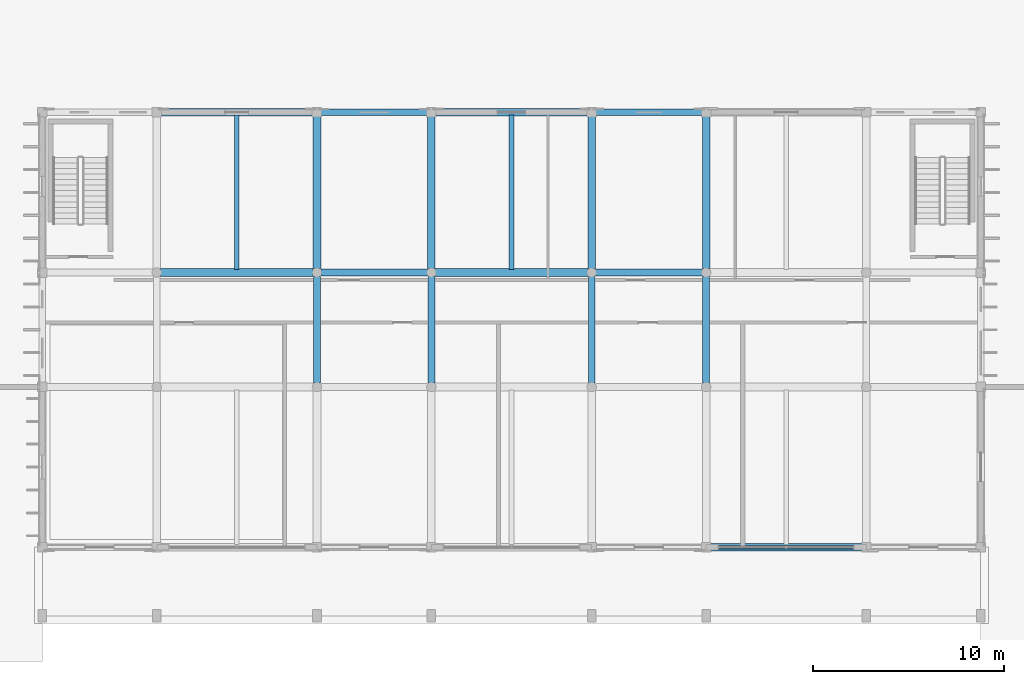
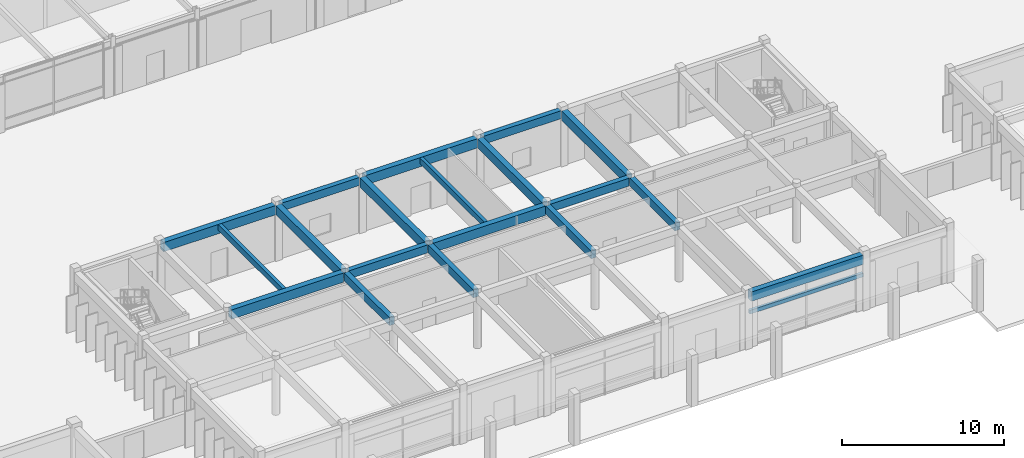
# One storey, part 14 of 67: 20 beams.
"""IFC4 building model written with IfcOpenShell, lengths in metres."""

from ifc_helpers import new_model, si_unit, direction, frame, origin, origin_2d, place, context, subcontext, project, spatial, rectangle, extrude, material, material_profile, profile_set, type_object, element, save


model = new_model("IFC4")

# Units and contexts
model_context = context("Model", 3, precision=1e-05, world=origin(), true_north=direction((0.0, 1.0)))
body_context = subcontext(model_context, "Body", "Model", "MODEL_VIEW")
ifc_project = project(units=[si_unit("LENGTHUNIT", "METRE"), si_unit("AREAUNIT", "SQUARE_METRE"), si_unit("VOLUMEUNIT", "CUBIC_METRE"), si_unit("PLANEANGLEUNIT", "RADIAN"), si_unit("MASSUNIT", "GRAM", prefix="KILO"), si_unit("THERMODYNAMICTEMPERATUREUNIT", "KELVIN")], contexts=[model_context])

# Site, building, storey
site_placement = place(None, origin())
site = spatial("IfcSite", under=ifc_project, at=site_placement, CompositionType="ELEMENT")
building_placement = place(site_placement, origin())
building = spatial("IfcBuilding", under=site, at=building_placement, Name="Thalorik Housing Commons", CompositionType="ELEMENT")
storey_placement = place(building_placement, origin())
storey = spatial("IfcBuildingStorey", under=building, at=storey_placement, Name="L00", CompositionType="ELEMENT", Elevation=0.0)

# Beams
ifc_material = material(Name="Precast concrete C40/50", Category="concrete")
ifc_material_profile_1 = material_profile(ifc_material, rectangle(XDim=0.35009765625, YDim=0.60009765625, at=origin_2d()), Name="PC 350x600", Category="concrete")
ifc_profile_set_1 = profile_set([ifc_material_profile_1], Name="Precast concrete C40/50")
beam_type_1 = type_object("IfcBeamType", Name="STR-BM-PC350x600", PredefinedType="BEAM", material=ifc_profile_set_1)
beam_1_placement = place(storey_placement, frame((80.60009765625, 28.800048828125, 3.89990234375), z_axis=(1.0, 0.0, 0.0), x_axis=(0.0, 1.0, 0.0)))
element("IfcBeam", 1, at=beam_1_placement, inside=storey, type_object=beam_type_1, Name="L00 Beam B-600", PredefinedType="BEAM", context=body_context, shape_type="SweptSolid", body=[
    extrude(rectangle(XDim=0.35009765625, YDim=0.60009765625, at=origin_2d()), origin(), (0.0, 0.0, 1.0), 5.599853515625),
])
beam_2_placement = place(storey_placement, frame((95.0, 28.800048828125, 3.89990234375), z_axis=(1.0, 0.0, 0.0), x_axis=(0.0, 1.0, 0.0)))
element("IfcBeam", 2, at=beam_2_placement, inside=storey, type_object=beam_type_1, Name="L00 Beam B-600", PredefinedType="BEAM", context=body_context, shape_type="SweptSolid", body=[
    extrude(rectangle(XDim=0.35009765625, YDim=0.60009765625, at=origin_2d()), origin(), (0.0, 0.0, 1.0), 5.60009765625),
])
beam_3_placement = place(storey_placement, frame((80.60009765625, 37.199951171875, 3.89990234375), z_axis=(1.0, 0.0, 0.0), x_axis=(0.0, 1.0, 0.0)))
element("IfcBeam", 3, at=beam_3_placement, inside=storey, type_object=beam_type_1, Name="L00 Beam B-600", PredefinedType="BEAM", context=body_context, shape_type="SweptSolid", body=[
    extrude(rectangle(XDim=0.35009765625, YDim=0.60009765625, at=origin_2d()), origin(), (0.0, 0.0, 1.0), 5.599853515625),
])
for number, where, z_axis, x_axis, name in (
    (4, (95.0, 37.199951171875, 3.89990234375), (1.0, 0.0, 0.0), (0.0, 1.0, 0.0), "L00 Beam B-600"),
    (5, (80.39990234375, 23.0, 3.89990234375), (0.0, 1.0, 0.0), (-1.0, 0.0, 0.0), "L00 Beam B-600"),
    (6, (86.39990234375, 23.0, 3.89990234375), (0.0, 1.0, 0.0), (-1.0, 0.0, 0.0), "L00 Beam B-600"),
    (7, (94.800048828125, 23.0, 3.89990234375), (0.0, 1.0, 0.0), (-1.0, 0.0, 0.0), "L00 Beam B-600"),
    (8, (100.800048828125, 23.0, 3.89990234375), (0.0, 1.0, 0.0), (-1.0, 0.0, 0.0), "L00 Beam B-600"),
):
    element("IfcBeam", number, at=place(storey_placement, frame(where, z_axis=z_axis, x_axis=x_axis)), inside=storey, type_object=beam_type_1, Name=name, PredefinedType="BEAM", context=body_context, shape_type="SweptSolid", body=[
        extrude(rectangle(XDim=0.35009765625, YDim=0.60009765625, at=origin_2d()), origin(), (0.0, 0.0, 1.0), 5.60009765625),
    ])
ifc_material_profile_2 = material_profile(ifc_material, rectangle(XDim=0.39990234375, YDim=0.699951171875, at=origin_2d()), Name="PC 400x700", Category="concrete")
ifc_profile_set_2 = profile_set([ifc_material_profile_2], Name="Precast concrete C40/50")
beam_type_2 = type_object("IfcBeamType", Name="STR-BM-PC400x700", PredefinedType="BEAM", material=ifc_profile_set_2)
for number, where, z_axis, x_axis, name in (
    (9, (101.0, 14.39990234375, 3.85009765625), (1.0, 0.0, 0.0), (0.0, 1.0, 0.0), "L00 Beam B-700"),
    (10, (72.199951171875, 28.800048828125, 3.85009765625), (1.0, 0.0, 0.0), (0.0, 1.0, 0.0), "L00 Beam B-700"),
    (11, (86.60009765625, 28.800048828125, 3.85009765625), (1.0, 0.0, 0.0), (0.0, 1.0, 0.0), "L00 Beam B-700"),
    (12, (72.199951171875, 37.199951171875, 3.85009765625), (1.0, 0.0, 0.0), (0.0, 1.0, 0.0), "L00 Beam B-700"),
    (13, (86.60009765625, 37.199951171875, 3.85009765625), (1.0, 0.0, 0.0), (0.0, 1.0, 0.0), "L00 Beam B-700"),
    (14, (80.39990234375, 29.0, 3.85009765625), (0.0, 1.0, 0.0), (-1.0, 0.0, 0.0), "L00 Beam B-700"),
    (15, (86.39990234375, 29.0, 3.85009765625), (0.0, 1.0, 0.0), (-1.0, 0.0, 0.0), "L00 Beam B-700"),
    (16, (94.800048828125, 29.0, 3.85009765625), (0.0, 1.0, 0.0), (-1.0, 0.0, 0.0), "L00 Beam B-700"),
    (17, (100.800048828125, 29.0, 3.85009765625), (0.0, 1.0, 0.0), (-1.0, 0.0, 0.0), "L00 Beam B-700"),
):
    element("IfcBeam", number, at=place(storey_placement, frame(where, z_axis=z_axis, x_axis=x_axis)), inside=storey, type_object=beam_type_2, Name=name, PredefinedType="BEAM", context=body_context, shape_type="SweptSolid", body=[
        extrude(rectangle(XDim=0.39990234375, YDim=0.699951171875, at=origin_2d()), origin(), (0.0, 0.0, 1.0), 8.0),
    ])
ifc_material_profile_3 = material_profile(ifc_material, rectangle(XDim=0.239990234375, YDim=0.43994140625, at=origin_2d()), Name="PC JST 240x440", Category="concrete")
ifc_profile_set_3 = profile_set([ifc_material_profile_3], Name="Precast concrete C40/50")
beam_type_3 = type_object("IfcBeamType", Name="STR-JST-PC240x440", PredefinedType="JOIST", material=ifc_profile_set_3)
for number, where, z_axis, x_axis, name in (
    (18, (76.199951171875, 28.949951171875, 3.97998046875), (0.0, 1.0, 0.0), (-1.0, 0.0, 0.0), "L00 Beam J-440"),
    (19, (90.60009765625, 28.949951171875, 3.97998046875), (0.0, 1.0, 0.0), (-1.0, 0.0, 0.0), "L00 Beam J-440"),
):
    element("IfcBeam", number, at=place(storey_placement, frame(where, z_axis=z_axis, x_axis=x_axis)), inside=storey, type_object=beam_type_3, Name=name, PredefinedType="JOIST", context=body_context, shape_type="SweptSolid", body=[
        extrude(rectangle(XDim=0.239990234375, YDim=0.43994140625, at=origin_2d()), origin(), (0.0, 0.0, 1.0), 8.10009765625),
    ])
ifc_material_profile_4 = material_profile(ifc_material, rectangle(XDim=0.199951171875, YDim=0.280029296875, at=origin_2d()), Name="PC LIN 200x280", Category="concrete")
ifc_profile_set_4 = profile_set([ifc_material_profile_4], Name="Precast concrete C40/50")
beam_type_4 = type_object("IfcBeamType", Name="STR-LIN-PC200x280", PredefinedType="LINTEL", material=ifc_profile_set_4)
beam_4_placement = place(storey_placement, frame((100.949951171875, 14.39990234375, 2.6201171875), z_axis=(1.0, 0.0, 0.0), x_axis=(0.0, 1.0, 0.0)))
element("IfcBeam", 20, at=beam_4_placement, inside=storey, type_object=beam_type_4, Name="L00 Shopfront Precast Lintel 6", PredefinedType="LINTEL", context=body_context, shape_type="SweptSolid", body=[
    extrude(rectangle(XDim=0.199951171875, YDim=0.280029296875, at=origin_2d()), origin(), (0.0, 0.0, 1.0), 8.10009765625),
])

save(model, "model.ifc")
